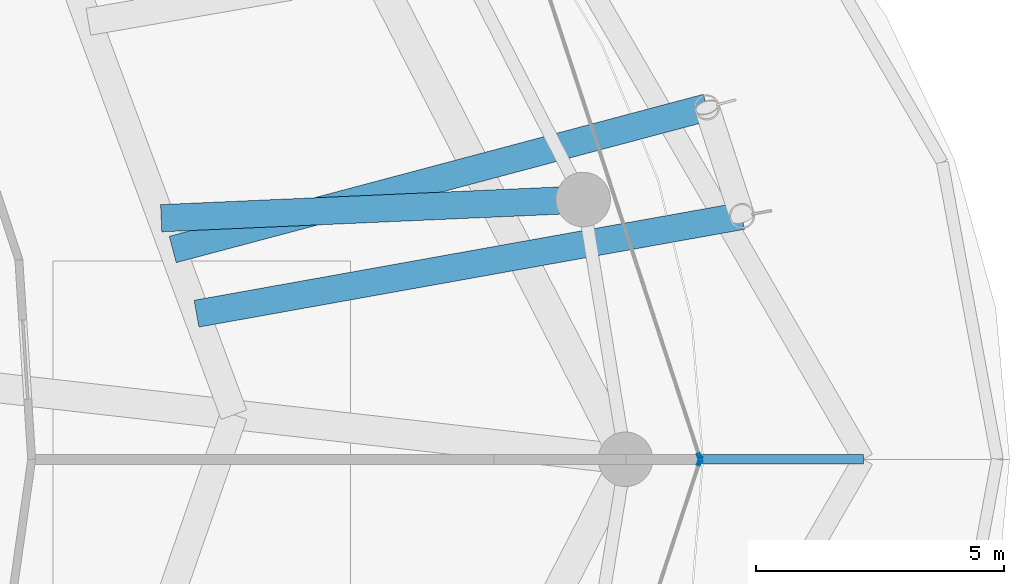
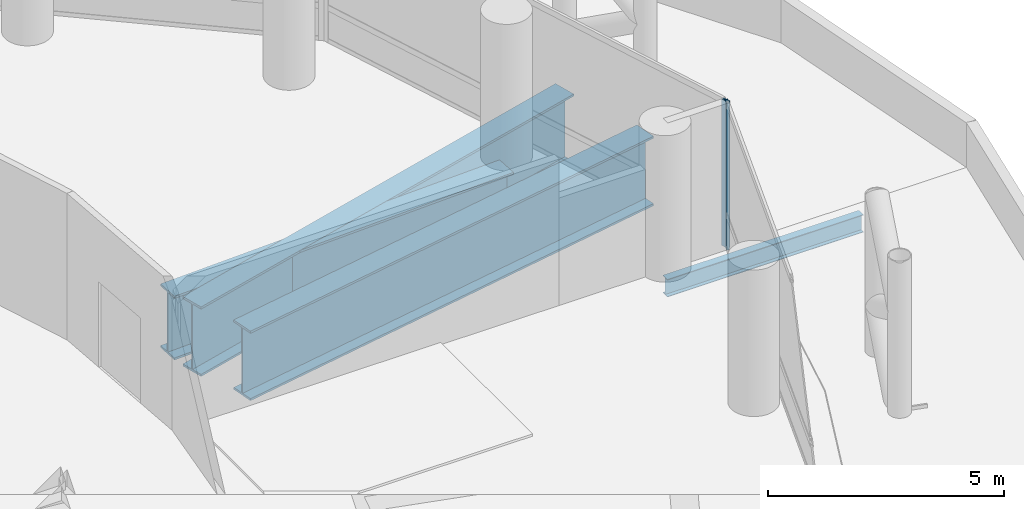
# One storey, part 16 of 37: 4 beams, 2 members, 2 elements without a shape of their own.
"""IFC4 building model written with IfcOpenShell, lengths in metres."""

from ifc_helpers import new_model, si_unit, direction, frame, origin, origin_2d, place, context, subcontext, project, spatial, hollow_rectangle, i_section, extrude, material, layer, layer_set, material_profile, profile_set, type_object, element, aggregate, save


model = new_model("IFC4")

# Units and contexts
model_context = context("Model", 3, precision=1e-05, world=origin(), true_north=direction((0.0, 1.0)))
body_context = subcontext(model_context, "Body", "Model", "MODEL_VIEW")
ifc_project = project(units=[si_unit("LENGTHUNIT", "METRE"), si_unit("AREAUNIT", "SQUARE_METRE"), si_unit("VOLUMEUNIT", "CUBIC_METRE"), si_unit("PLANEANGLEUNIT", "RADIAN"), si_unit("MASSUNIT", "GRAM", prefix="KILO")], contexts=[model_context])

# Site, building, storey
site_placement = place(None, origin())
site = spatial("IfcSite", under=ifc_project, at=site_placement, CompositionType="ELEMENT")
building_placement = place(site_placement, origin())
building = spatial("IfcBuilding", under=site, at=building_placement, Name="Nuhasar Tower", CompositionType="ELEMENT")
storey_placement = place(building_placement, frame((0.0, 0.0, 21.0)))
storey = spatial("IfcBuildingStorey", under=building, at=storey_placement, Name="L04", CompositionType="ELEMENT", Elevation=21.0)

# Beams
ifc_material_1 = material(Name="Steel S355", Category="steel")
ifc_material_profile_1 = material_profile(ifc_material_1, i_section(OverallWidth=0.18994140625, OverallDepth=0.45703125, WebThickness=0.009033203125, FlangeThickness=0.014404296875, at=origin_2d()), Name="W18X50")
ifc_profile_set_1 = profile_set([ifc_material_profile_1], Name="Steel S355")
beam_type_1 = type_object("IfcBeamType", Name="BM-RAD-W18X50", PredefinedType="BEAM", material=ifc_profile_set_1)
beam_1_placement = place(storey_placement, frame((64.050048828125, 26.800048828125, -0.489013671875), z_axis=(1.0, 0.0, 0.0), x_axis=(0.0, 1.0, 0.0)))
element("IfcBeam", 1, at=beam_1_placement, inside=storey, type_object=beam_type_1, Name="L04 Podium Radial Girder 04", PredefinedType="BEAM", context=body_context, shape_type="SweptSolid", body=[
    extrude(i_section(OverallWidth=0.18994140625, OverallDepth=0.45703125, WebThickness=0.009033203125, FlangeThickness=0.014404296875, at=origin_2d()), origin(), (0.0, 0.0, 1.0), 4.800048828125),
])
ifc_material_2 = material(Name="Steel S460", Category="steel")
ifc_material_profile_2 = material_profile(ifc_material_2, i_section(OverallWidth=0.550048828125, OverallDepth=1.64990234375, WebThickness=0.031982421875, FlangeThickness=0.054931640625, at=origin_2d()), Name="PG1650X550")
ifc_profile_set_2 = profile_set([ifc_material_profile_2], Name="Steel S460")
beam_type_2 = type_object("IfcBeamType", Name="BM-XFER-PG1650", PredefinedType="USERDEFINED", material=ifc_profile_set_2)
beam_2_placement = place(storey_placement, frame((54.68310546875, 31.6640625, -1.0849609375), z_axis=(0.999021079244, 0.044236672871, 0.0), x_axis=(-0.044236672871, 0.999021079244, 0.0)))
element("IfcBeam", 2, at=beam_2_placement, inside=storey, type_object=beam_type_2, Name="L04 Inner Column Transfer Girder 02", ObjectType="GIRDER", PredefinedType="USERDEFINED", context=body_context, shape_type="SweptSolid", body=[
    extrude(i_section(OverallWidth=0.550048828125, OverallDepth=1.64990234375, WebThickness=0.031982421875, FlangeThickness=0.054931640625, at=origin_2d()), origin(), (0.0, 0.0, 1.0), 8.521240234375),
])
ifc_material_profile_3 = material_profile(ifc_material_2, i_section(OverallWidth=0.550048828125, OverallDepth=1.800048828125, WebThickness=0.031982421875, FlangeThickness=0.054931640625, at=origin_2d()), Name="PG1800X550")
ifc_profile_set_3 = profile_set([ifc_material_profile_3], Name="Steel S460")
beam_type_3 = type_object("IfcBeamType", Name="BM-XFER-PG1800", PredefinedType="USERDEFINED", material=ifc_profile_set_3)
beam_3_placement = place(storey_placement, frame((55.39599609375, 29.738037109375, -1.159912109375), z_axis=(0.98431995214, 0.176392266894, 0.0), x_axis=(-0.176392266894, 0.98431995214, 0.0)))
element("IfcBeam", 3, at=beam_3_placement, inside=storey, type_object=beam_type_3, Name="L04 Exoskeleton Base Transfer Girder 01", ObjectType="GIRDER", PredefinedType="USERDEFINED", context=body_context, shape_type="SweptSolid", body=[
    extrude(i_section(OverallWidth=0.550048828125, OverallDepth=1.800048828125, WebThickness=0.031982421875, FlangeThickness=0.054931640625, at=origin_2d()), origin(), (0.0, 0.0, 1.0), 11.17919921875),
])
beam_4_placement = place(storey_placement, frame((54.916015625, 31.032958984375, -1.159912109375), z_axis=(0.966404439492, 0.257026184132, 0.0), x_axis=(-0.257026184132, 0.966404439492, 0.0)))
element("IfcBeam", 4, at=beam_4_placement, inside=storey, type_object=beam_type_3, Name="L04 Exoskeleton Base Transfer Girder 02", ObjectType="GIRDER", PredefinedType="USERDEFINED", context=body_context, shape_type="SweptSolid", body=[
    extrude(i_section(OverallWidth=0.550048828125, OverallDepth=1.800048828125, WebThickness=0.031982421875, FlangeThickness=0.054931640625, at=origin_2d()), origin(), (0.0, 0.0, 1.0), 11.150390625),
])

# Curtain wall, member
ifc_material_3 = material(Name="Aluminium 6063-T6", Category="aluminium")
ifc_layer = layer(ifc_material_3, 0.199951171875)
ifc_layer_set = layer_set([ifc_layer], Name="Aluminium 6063-T6")
curtain_wall_type = type_object("IfcCurtainWallType", Name="CW-Z1-OFF", PredefinedType="NOTDEFINED", material=ifc_layer_set)
curtain_wall_1_placement = place(storey_placement, origin())
curtain_wall_1 = element("IfcCurtainWall", 5, at=curtain_wall_1_placement, inside=storey, type_object=curtain_wall_type, Name="L04 Unitised Curtain Wall 01", PredefinedType="NOTDEFINED")
ifc_material_profile_4 = material_profile(ifc_material_3, hollow_rectangle(XDim=0.06494140625, YDim=0.179931640625, WallThickness=0.0048828125, at=origin_2d()), Name="CWM-2")
ifc_profile_set_4 = profile_set([ifc_material_profile_4], Name="Aluminium 6063-T6")
member_type = type_object("IfcMemberType", Name="CW-MUL-S2", PredefinedType="MULLION", material=ifc_profile_set_4)
member_1_placement = place(storey_placement, frame((65.5498046875, 26.830810546875, 0.0), z_axis=(0.0, 0.0, 1.0), x_axis=(-0.950467534571, -0.310823849997, 0.0)))
member_1 = element("IfcMember", 6, at=member_1_placement, type_object=member_type, Name="CW-Z1 mullion 1", PredefinedType="MULLION", context=body_context, shape_type="SweptSolid", body=[
    extrude(hollow_rectangle(XDim=0.06494140625, YDim=0.179931640625, WallThickness=0.0048828125, at=origin_2d()), origin(), (0.0, 0.0, 1.0), 3.7900390625),
])
aggregate(curtain_wall_1, [member_1])

curtain_wall_2_placement = place(storey_placement, origin())
curtain_wall_2 = element("IfcCurtainWall", 7, at=curtain_wall_2_placement, inside=storey, type_object=curtain_wall_type, Name="L04 Unitised Curtain Wall 12", PredefinedType="NOTDEFINED")
member_2_placement = place(storey_placement, frame((65.5498046875, 26.76904296875, 0.0), z_axis=(0.0, 0.0, 1.0), x_axis=(-0.950467534571, 0.310823849997, 0.0)))
member_2 = element("IfcMember", 8, at=member_2_placement, type_object=member_type, Name="CW-Z1 mullion 2", PredefinedType="MULLION", context=body_context, shape_type="SweptSolid", body=[
    extrude(hollow_rectangle(XDim=0.06494140625, YDim=0.179931640625, WallThickness=0.0048828125, at=origin_2d()), origin(), (0.0, 0.0, 1.0), 3.7900390625),
])
aggregate(curtain_wall_2, [member_2])

save(model, "model.ifc")
